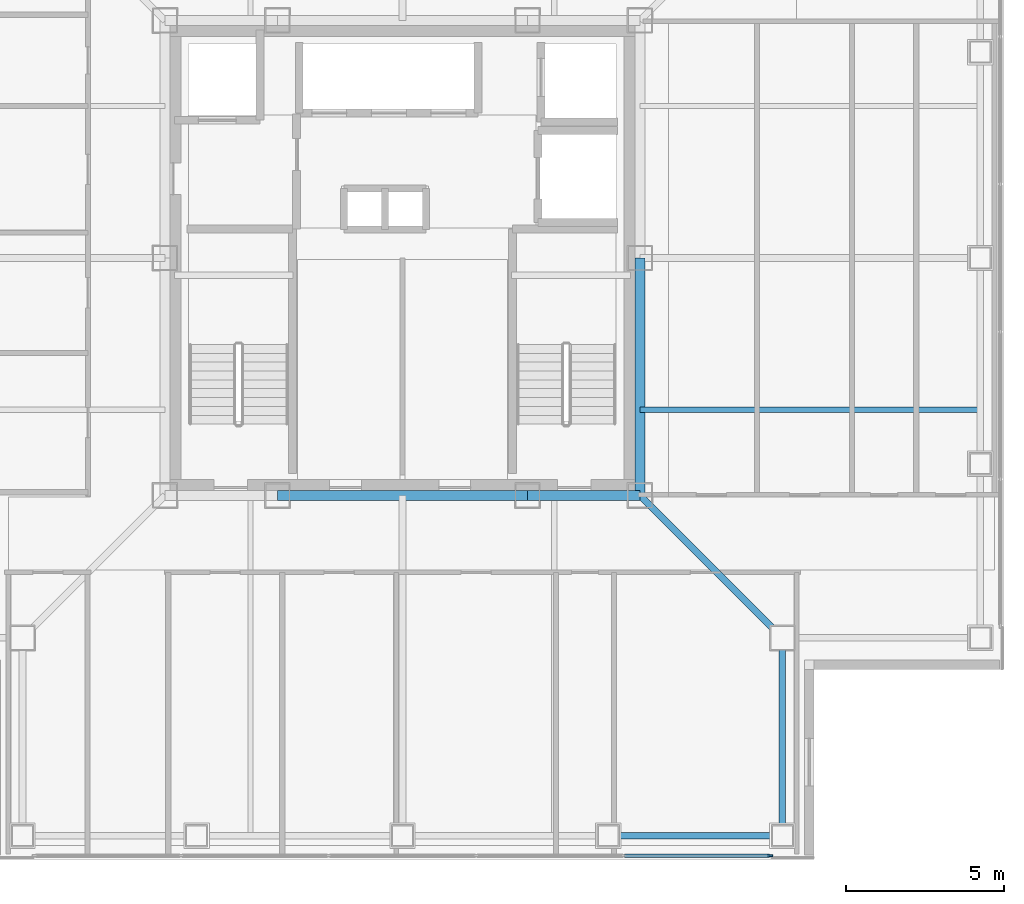
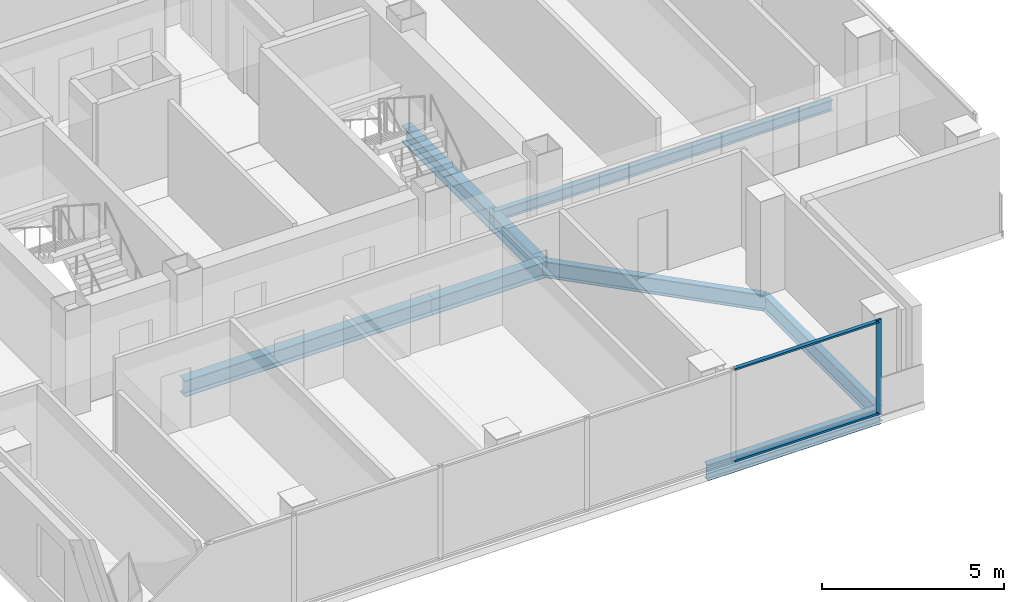
# One storey, part 3 of 16: 7 beams, 3 members, 1 element without a shape of its own.
"""IFC4 building model written with IfcOpenShell, lengths in metres."""

from ifc_helpers import new_model, si_unit, direction, frame, origin, origin_2d, place, context, subcontext, project, spatial, rectangle, i_section, extrude, material, layer, layer_set, material_profile, profile_set, type_object, element, aggregate, save


model = new_model("IFC4")

# Units and contexts
model_context = context("Model", 3, precision=1e-05, world=origin(), true_north=direction((0.0, 1.0)))
body_context = subcontext(model_context, "Body", "Model", "MODEL_VIEW")
ifc_project = project(units=[si_unit("LENGTHUNIT", "METRE"), si_unit("AREAUNIT", "SQUARE_METRE"), si_unit("VOLUMEUNIT", "CUBIC_METRE"), si_unit("PLANEANGLEUNIT", "RADIAN"), si_unit("MASSUNIT", "GRAM", prefix="KILO")], contexts=[model_context])

# Site, building, storey
site_placement = place(None, origin())
site = spatial("IfcSite", under=ifc_project, at=site_placement, CompositionType="ELEMENT")
building_placement = place(site_placement, origin())
building = spatial("IfcBuilding", under=site, at=building_placement, Name="Trevonay Congress Spire", CompositionType="ELEMENT")
storey_placement = place(building_placement, frame((0.0, 0.0, 297.199951171875)))
storey = spatial("IfcBuildingStorey", under=building, at=storey_placement, Name="L78", CompositionType="ELEMENT", Elevation=297.199951171875)

# Beams
ifc_material_1 = material(Name="Steel ASTM A572 Grade 50", Category="steel")
ifc_material_profile_1 = material_profile(ifc_material_1, i_section(OverallWidth=0.2119140625, OverallDepth=0.5439453125, WebThickness=0.01318359375, FlangeThickness=0.021240234375, FilletRadius=0.014892578125, at=origin_2d()), Name="W530x123")
ifc_profile_set_1 = profile_set([ifc_material_profile_1], Name="Steel ASTM A572 Grade 50")
beam_type_1 = type_object("IfcBeamType", Name="BM-GIRD-W530X123", PredefinedType="BEAM", material=ifc_profile_set_1)
beam_1_placement = place(storey_placement, frame((7.5, -7.5, -0.511962890625), z_axis=(0.707106781187, -0.707106781187, 0.0), x_axis=(0.707106781187, 0.707106781187, 0.0)))
element("IfcBeam", 1, at=beam_1_placement, inside=storey, type_object=beam_type_1, Name="L78 structural beam BM-L78-CDSE", PredefinedType="BEAM", context=body_context, shape_type="SweptSolid", body=[
    extrude(i_section(OverallWidth=0.2119140625, OverallDepth=0.5439453125, WebThickness=0.01318359375, FlangeThickness=0.021240234375, FilletRadius=0.014892578125, at=origin_2d()), origin(), (0.0, 0.0, 1.0), 6.364013671875),
])
ifc_material_profile_2 = material_profile(ifc_material_1, i_section(OverallWidth=0.31201171875, OverallDepth=0.54296875, WebThickness=0.0126953125, FlangeThickness=0.020263671875, FilletRadius=0.014892578125, at=origin_2d()), Name="W530x150")
ifc_profile_set_2 = profile_set([ifc_material_profile_2], Name="Steel ASTM A572 Grade 50")
beam_type_2 = type_object("IfcBeamType", Name="BM-GIRD-W530X150", PredefinedType="BEAM", material=ifc_profile_set_2)
beam_2_placement = place(storey_placement, frame((-3.949951171875, -7.5, -0.511474609375), z_axis=(1.0, 0.0, 0.0), x_axis=(0.0, 1.0, 0.0)))
element("IfcBeam", 2, at=beam_2_placement, inside=storey, type_object=beam_type_2, Name="L78 structural beam BM-L78-CR-S2", PredefinedType="BEAM", context=body_context, shape_type="SweptSolid", body=[
    extrude(i_section(OverallWidth=0.31201171875, OverallDepth=0.54296875, WebThickness=0.0126953125, FlangeThickness=0.020263671875, FilletRadius=0.014892578125, at=origin_2d()), origin(), (0.0, 0.0, 1.0), 7.89990234375),
])
beam_3_placement = place(storey_placement, frame((3.949951171875, -7.5, -0.511474609375), z_axis=(1.0, 0.0, 0.0), x_axis=(0.0, 1.0, 0.0)))
element("IfcBeam", 3, at=beam_3_placement, inside=storey, type_object=beam_type_2, Name="L78 structural beam BM-L78-CR-S3", PredefinedType="BEAM", context=body_context, shape_type="SweptSolid", body=[
    extrude(i_section(OverallWidth=0.31201171875, OverallDepth=0.54296875, WebThickness=0.0126953125, FlangeThickness=0.020263671875, FilletRadius=0.014892578125, at=origin_2d()), origin(), (0.0, 0.0, 1.0), 3.550048828125),
])
beam_4_placement = place(storey_placement, frame((7.5, -7.5, -0.511474609375), z_axis=(0.0, 1.0, 0.0), x_axis=(-1.0, 0.0, 0.0)))
element("IfcBeam", 4, at=beam_4_placement, inside=storey, type_object=beam_type_2, Name="L78 structural beam BM-L78-CR-E1", PredefinedType="BEAM", context=body_context, shape_type="SweptSolid", body=[
    extrude(i_section(OverallWidth=0.31201171875, OverallDepth=0.54296875, WebThickness=0.0126953125, FlangeThickness=0.020263671875, FilletRadius=0.014892578125, at=origin_2d()), origin(), (0.0, 0.0, 1.0), 7.5),
])
ifc_material_profile_3 = material_profile(ifc_material_1, i_section(OverallWidth=0.208984375, OverallDepth=0.532958984375, WebThickness=0.01025390625, FlangeThickness=0.015625, FilletRadius=0.014892578125, at=origin_2d()), Name="W530x92")
ifc_profile_set_3 = profile_set([ifc_material_profile_3], Name="Steel ASTM A572 Grade 50")
beam_type_3 = type_object("IfcBeamType", Name="BM-RING-W530X92", PredefinedType="BEAM", material=ifc_profile_set_3)
beam_5_placement = place(storey_placement, frame((6.5, -18.25, -0.50634765625), z_axis=(1.0, 0.0, 0.0), x_axis=(0.0, 1.0, 0.0)))
element("IfcBeam", 5, at=beam_5_placement, inside=storey, type_object=beam_type_3, Name="L78 structural beam BM-L78-PS4", PredefinedType="BEAM", context=body_context, shape_type="SweptSolid", body=[
    extrude(i_section(OverallWidth=0.208984375, OverallDepth=0.532958984375, WebThickness=0.01025390625, FlangeThickness=0.015625, FilletRadius=0.014892578125, at=origin_2d()), origin(), (0.0, 0.0, 1.0), 5.5),
])
beam_6_placement = place(storey_placement, frame((12.0, -18.25, -0.50634765625), z_axis=(0.0, 1.0, 0.0), x_axis=(-1.0, 0.0, 0.0)))
element("IfcBeam", 6, at=beam_6_placement, inside=storey, type_object=beam_type_3, Name="L78 structural beam BM-L78-N1SE", PredefinedType="BEAM", context=body_context, shape_type="SweptSolid", body=[
    extrude(i_section(OverallWidth=0.208984375, OverallDepth=0.532958984375, WebThickness=0.01025390625, FlangeThickness=0.015625, FilletRadius=0.014892578125, at=origin_2d()), origin(), (0.0, 0.0, 1.0), 6.25),
])

# Curtain wall, members
ifc_material_2 = material(Name="Pale Anodised Aluminium EN AW-6063-T6", Category="aluminium")
ifc_layer = layer(ifc_material_2, 0.1650390625, Name="Pale Anodised Aluminium EN AW-6063-T6")
ifc_layer_set = layer_set([ifc_layer], Name="Pale Anodised Aluminium EN AW-6063-T6")
curtain_wall_type = type_object("IfcCurtainWallType", Name="CW-SYS05-DIPLOM-PALE-METAL", PredefinedType="NOTDEFINED", material=ifc_layer_set)
curtain_wall_placement = place(storey_placement, origin())
curtain_wall = element("IfcCurtainWall", 7, at=curtain_wall_placement, inside=storey, type_object=curtain_wall_type, Name="L78 S unitised curtain wall", PredefinedType="NOTDEFINED")
ifc_material_profile_4 = material_profile(ifc_material_2, rectangle(XDim=0.06005859375, YDim=0.159912109375, at=origin_2d()), Name="CW-MULLION-160-ALUMINIUM")
ifc_profile_set_4 = profile_set([ifc_material_profile_4], Name="Pale Anodised Aluminium EN AW-6063-T6")
member_type_1 = type_object("IfcMemberType", Name="CW-MULLION-160-ALUMINIUM", PredefinedType="MULLION", material=ifc_profile_set_4)
member_1_placement = place(storey_placement, frame((11.6201171875, -18.8798828125, 0.0), z_axis=(0.0, 0.0, 1.0), x_axis=(0.0, 1.0, 0.0)))
member_1 = element("IfcMember", 8, at=member_1_placement, type_object=member_type_1, Name="CW05 mullion 6", PredefinedType="MULLION", context=body_context, shape_type="SweptSolid", body=[
    extrude(rectangle(XDim=0.06005859375, YDim=0.159912109375, at=origin_2d()), origin(), (0.0, 0.0, 1.0), 3.199951171875),
])
ifc_material_profile_5 = material_profile(ifc_material_2, rectangle(XDim=0.1201171875, YDim=0.06005859375, at=origin_2d()), Name="CW-TRANSOM-120-ALUMINIUM")
ifc_profile_set_5 = profile_set([ifc_material_profile_5], Name="Pale Anodised Aluminium EN AW-6063-T6")
member_type_2 = type_object("IfcMemberType", Name="CW-TRANSOM-120-ALUMINIUM", PredefinedType="USERDEFINED", material=ifc_profile_set_5)
member_2_placement = place(storey_placement, frame((7.02001953125, -18.8798828125, 0.06005859375), z_axis=(1.0, 0.0, 0.0), x_axis=(0.0, 1.0, 0.0)))
member_2 = element("IfcMember", 9, at=member_2_placement, type_object=member_type_2, Name="CW05 transom 5.1", ObjectType="TRANSOM", PredefinedType="USERDEFINED", context=body_context, shape_type="SweptSolid", body=[
    extrude(rectangle(XDim=0.1201171875, YDim=0.06005859375, at=origin_2d()), origin(), (0.0, 0.0, 1.0), 4.570068359375),
])
member_3_placement = place(storey_placement, frame((7.02001953125, -18.8798828125, 3.14013671875), z_axis=(1.0, 0.0, 0.0), x_axis=(0.0, 1.0, 0.0)))
member_3 = element("IfcMember", 10, at=member_3_placement, type_object=member_type_2, Name="CW05 transom 5.2", ObjectType="TRANSOM", PredefinedType="USERDEFINED", context=body_context, shape_type="SweptSolid", body=[
    extrude(rectangle(XDim=0.1201171875, YDim=0.06005859375, at=origin_2d()), origin(), (0.0, 0.0, 1.0), 4.570068359375),
])
aggregate(curtain_wall, [member_1, member_2, member_3])

# Beam
ifc_material_profile_6 = material_profile(ifc_material_1, i_section(OverallWidth=0.172119140625, OverallDepth=0.35791015625, WebThickness=0.0078125, FlangeThickness=0.01318359375, FilletRadius=0.011962890625, at=origin_2d()), Name="W360x57.8")
ifc_profile_set_6 = profile_set([ifc_material_profile_6], Name="Steel ASTM A572 Grade 50")
beam_type_4 = type_object("IfcBeamType", Name="JS-COMP-W360X57", PredefinedType="JOIST", material=ifc_profile_set_6)
beam_7_placement = place(storey_placement, frame((7.5, -4.800048828125, -0.4189453125), z_axis=(1.0, 0.0, 0.0), x_axis=(0.0, 1.0, 0.0)))
element("IfcBeam", 11, at=beam_7_placement, inside=storey, type_object=beam_type_4, Name="L78 structural beam JS-L78-EW-E1", PredefinedType="JOIST", context=body_context, shape_type="SweptSolid", body=[
    extrude(i_section(OverallWidth=0.172119140625, OverallDepth=0.35791015625, WebThickness=0.0078125, FlangeThickness=0.01318359375, FilletRadius=0.011962890625, at=origin_2d()), origin(), (0.0, 0.0, 1.0), 10.75),
])

save(model, "model.ifc")
